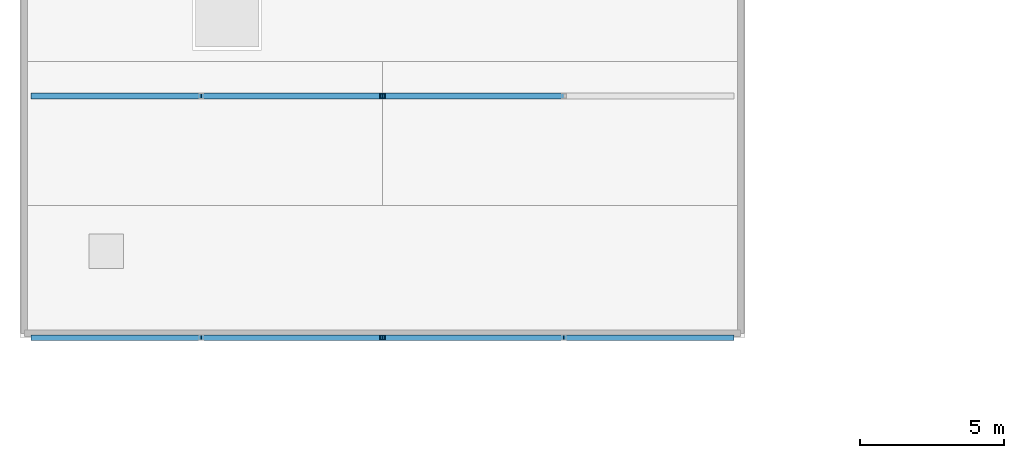
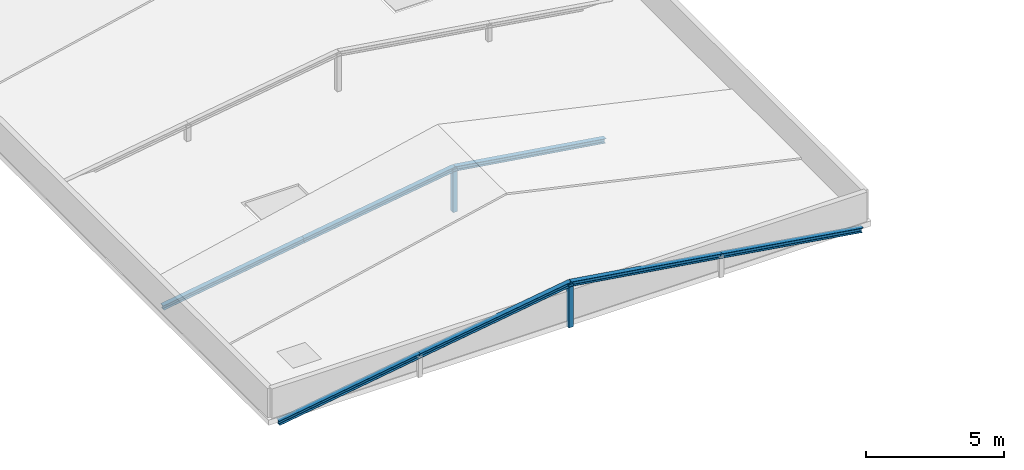
# One storey, part 3 of 21: 9 members.
"""IFC4 building model written with IfcOpenShell, lengths in metres."""

from ifc_helpers import new_model, si_unit, direction, frame, origin, origin_2d, place, context, subcontext, project, spatial, hollow_rectangle, i_section, extrude, material, material_profile, profile_set, type_object, element, save


model = new_model("IFC4")

# Units and contexts
model_context = context("Model", 3, precision=1e-05, world=origin(), true_north=direction((0.0, 1.0)))
body_context = subcontext(model_context, "Body", "Model", "MODEL_VIEW")
ifc_project = project(units=[si_unit("LENGTHUNIT", "METRE"), si_unit("AREAUNIT", "SQUARE_METRE"), si_unit("VOLUMEUNIT", "CUBIC_METRE"), si_unit("PLANEANGLEUNIT", "RADIAN"), si_unit("MASSUNIT", "GRAM", prefix="KILO")], contexts=[model_context])

# Site, building, storey
site_placement = place(None, origin())
site = spatial("IfcSite", under=ifc_project, at=site_placement, CompositionType="ELEMENT")
building_placement = place(site_placement, origin())
building = spatial("IfcBuilding", under=site, at=building_placement, Name="Xuanlan Plaza Opera House", CompositionType="ELEMENT")
storey_placement = place(building_placement, frame((0.0, 0.0, 44.699951171875)))
storey = spatial("IfcBuildingStorey", under=building, at=storey_placement, Name="L10", CompositionType="ELEMENT", Elevation=44.699951171875)

# Members
ifc_material = material(Name="Steel Q355B", Category="steel")
ifc_material_profile_1 = material_profile(ifc_material, hollow_rectangle(XDim=0.179931640625, YDim=0.179931640625, WallThickness=0.010009765625, at=origin_2d()), Name="SHS 180x180x10")
ifc_profile_set_1 = profile_set([ifc_material_profile_1], Name="Steel Q355B")
member_type_1 = type_object("IfcMemberType", Name="STR-MEM-ST-M2", PredefinedType="STRUT", material=ifc_profile_set_1)
for number, where, z_axis, x_axis, name in (
    (1, (54.60009765625, 42.0, -0.25), (0.0, 0.0, 1.0), (1.0, 0.0, 0.0), "Fly Tower Crown Support Post 01-MID"),
    (2, (54.60009765625, 50.39990234375, -0.25), (0.0, 0.0, 1.0), (1.0, 0.0, 0.0), "Fly Tower Crown Support Post 02-MID"),
):
    element("IfcMember", number, at=place(storey_placement, frame(where, z_axis=z_axis, x_axis=x_axis)), inside=storey, type_object=member_type_1, Name=name, PredefinedType="STRUT", context=body_context, shape_type="SweptSolid", body=[
        extrude(hollow_rectangle(XDim=0.179931640625, YDim=0.179931640625, WallThickness=0.010009765625, at=origin_2d()), origin(), (0.0, 0.0, 1.0), 1.91015625),
    ])
ifc_material_profile_2 = material_profile(ifc_material, i_section(OverallWidth=0.199951171875, OverallDepth=0.199951171875, WebThickness=0.008056640625, FlangeThickness=0.011962890625, FilletRadius=0.012939453125, at=origin_2d()), Name="HW 200x200x8x12")
ifc_profile_set_2 = profile_set([ifc_material_profile_2], Name="Steel Q355B")
member_type_2 = type_object("IfcMemberType", Name="STR-MEM-TC-02", PredefinedType="CHORD", material=ifc_profile_set_2)
member_1_placement = place(storey_placement, frame((42.39990234375, 42.0, -0.219970703125), z_axis=(0.988062453575, 0.0, 0.154053847191), x_axis=(0.0, 1.0, 0.0)))
element("IfcMember", 3, at=member_1_placement, inside=storey, type_object=member_type_2, Name="Fly Tower Crown Rafter 01-W1", PredefinedType="CHORD", context=body_context, shape_type="SweptSolid", body=[
    extrude(i_section(OverallWidth=0.199951171875, OverallDepth=0.199951171875, WebThickness=0.008056640625, FlangeThickness=0.011962890625, FilletRadius=0.012939453125, at=origin_2d()), origin(), (0.0, 0.0, 1.0), 5.971435546875),
])
member_2_placement = place(storey_placement, frame((48.300048828125, 42.0, 0.699951171875), z_axis=(0.988583756616, 0.0, 0.150672347017), x_axis=(0.0, 1.0, 0.0)))
element("IfcMember", 4, at=member_2_placement, inside=storey, type_object=member_type_2, Name="Fly Tower Crown Rafter 01-W2", PredefinedType="CHORD", context=body_context, shape_type="SweptSolid", body=[
    extrude(i_section(OverallWidth=0.199951171875, OverallDepth=0.199951171875, WebThickness=0.008056640625, FlangeThickness=0.011962890625, FilletRadius=0.012939453125, at=origin_2d()), origin(), (0.0, 0.0, 1.0), 6.372802734375),
])
member_3_placement = place(storey_placement, frame((54.60009765625, 42.0, 1.66015625), z_axis=(0.988582886852, 0.0, -0.150678053557), x_axis=(0.0, 1.0, 0.0)))
element("IfcMember", 5, at=member_3_placement, inside=storey, type_object=member_type_2, Name="Fly Tower Crown Rafter 01-E2", PredefinedType="CHORD", context=body_context, shape_type="SweptSolid", body=[
    extrude(i_section(OverallWidth=0.199951171875, OverallDepth=0.199951171875, WebThickness=0.008056640625, FlangeThickness=0.011962890625, FilletRadius=0.012939453125, at=origin_2d()), origin(), (0.0, 0.0, 1.0), 6.37255859375),
])
for number, where, z_axis, x_axis, name in (
    (6, (60.89990234375, 42.0, 0.699951171875), (0.988062453575, 0.0, -0.154053847191), (0.0, 1.0, 0.0), "Fly Tower Crown Rafter 01-E1"),
    (7, (42.39990234375, 50.39990234375, -0.219970703125), (0.988062453575, 0.0, 0.154053847191), (0.0, 1.0, 0.0), "Fly Tower Crown Rafter 02-W1"),
):
    element("IfcMember", number, at=place(storey_placement, frame(where, z_axis=z_axis, x_axis=x_axis)), inside=storey, type_object=member_type_2, Name=name, PredefinedType="CHORD", context=body_context, shape_type="SweptSolid", body=[
        extrude(i_section(OverallWidth=0.199951171875, OverallDepth=0.199951171875, WebThickness=0.008056640625, FlangeThickness=0.011962890625, FilletRadius=0.012939453125, at=origin_2d()), origin(), (0.0, 0.0, 1.0), 5.971435546875),
    ])
member_4_placement = place(storey_placement, frame((48.300048828125, 50.39990234375, 0.699951171875), z_axis=(0.988583756616, 0.0, 0.150672347017), x_axis=(0.0, 1.0, 0.0)))
element("IfcMember", 8, at=member_4_placement, inside=storey, type_object=member_type_2, Name="Fly Tower Crown Rafter 02-W2", PredefinedType="CHORD", context=body_context, shape_type="SweptSolid", body=[
    extrude(i_section(OverallWidth=0.199951171875, OverallDepth=0.199951171875, WebThickness=0.008056640625, FlangeThickness=0.011962890625, FilletRadius=0.012939453125, at=origin_2d()), origin(), (0.0, 0.0, 1.0), 6.372802734375),
])
member_5_placement = place(storey_placement, frame((54.60009765625, 50.39990234375, 1.66015625), z_axis=(0.988582886852, 0.0, -0.150678053557), x_axis=(0.0, 1.0, 0.0)))
element("IfcMember", 9, at=member_5_placement, inside=storey, type_object=member_type_2, Name="Fly Tower Crown Rafter 02-E2", PredefinedType="CHORD", context=body_context, shape_type="SweptSolid", body=[
    extrude(i_section(OverallWidth=0.199951171875, OverallDepth=0.199951171875, WebThickness=0.008056640625, FlangeThickness=0.011962890625, FilletRadius=0.012939453125, at=origin_2d()), origin(), (0.0, 0.0, 1.0), 6.37255859375),
])

save(model, "model.ifc")
